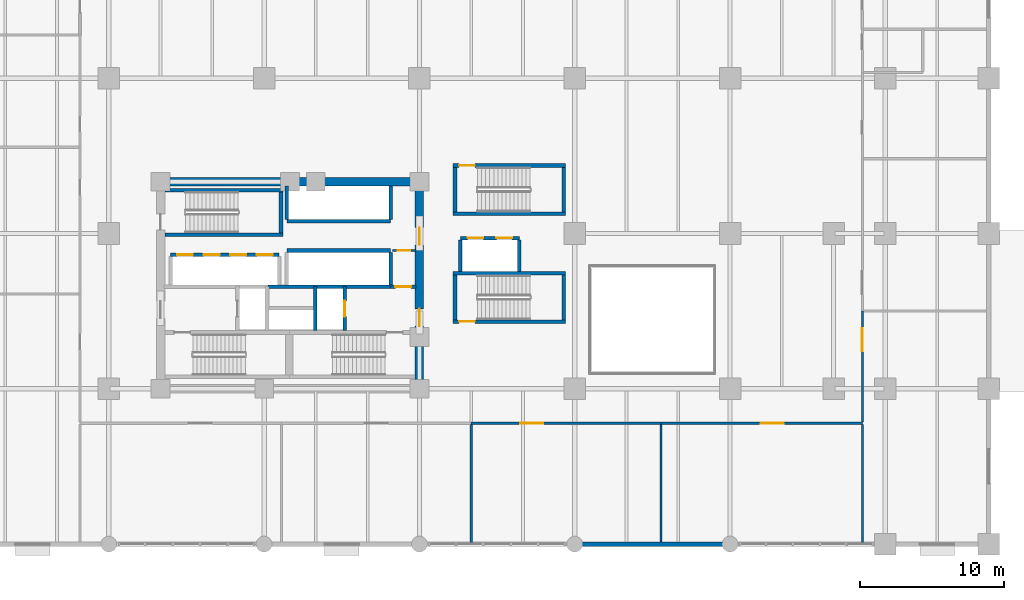
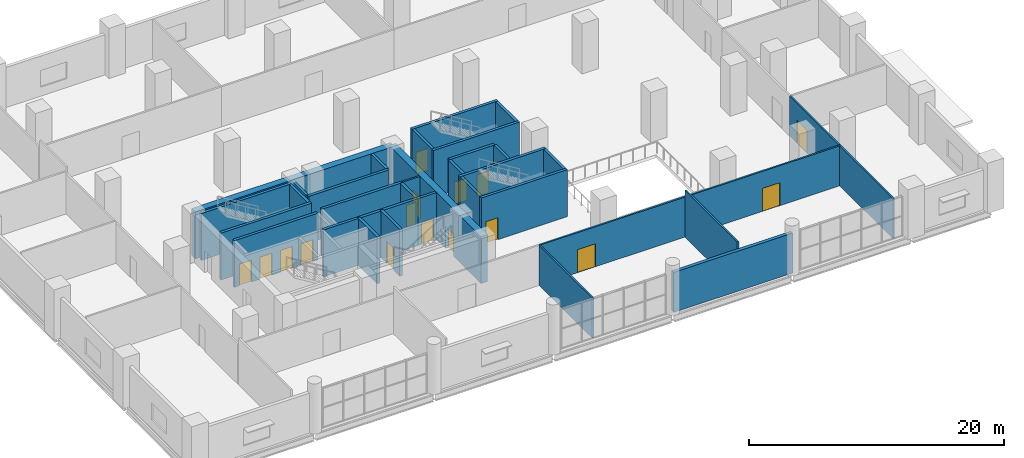
# One storey, part 11 of 16: 34 walls, 16 doors, 16 openings.
"""IFC4 building model written with IfcOpenShell, lengths in metres."""

from ifc_helpers import new_model, si_unit, direction, frame, frame_2d, origin, place, context, subcontext, project, spatial, rectangle, extrude, material, layer, layer_set, type_object, element, fill, save


model = new_model("IFC4")

# Units and contexts
model_context = context("Model", 3, precision=1e-05, world=origin(), true_north=direction((0.0, 1.0)))
body_context = subcontext(model_context, "Body", "Model", "MODEL_VIEW")
ifc_project = project(units=[si_unit("LENGTHUNIT", "METRE"), si_unit("AREAUNIT", "SQUARE_METRE"), si_unit("VOLUMEUNIT", "CUBIC_METRE"), si_unit("PLANEANGLEUNIT", "RADIAN"), si_unit("MASSUNIT", "GRAM", prefix="KILO")], contexts=[model_context])

# Site, building, storey
site_placement = place(None, origin())
site = spatial("IfcSite", under=ifc_project, at=site_placement, CompositionType="ELEMENT")
building_placement = place(site_placement, origin())
building = spatial("IfcBuilding", under=site, at=building_placement, Name="Solnavia Interchange Tower", CompositionType="ELEMENT")
storey_placement = place(building_placement, frame((0.0, 0.0, 5.39990234375)))
storey = spatial("IfcBuildingStorey", under=building, at=storey_placement, Name="L01", CompositionType="ELEMENT", Elevation=5.39990234375)

# Wall
ifc_material_1 = material(Name="Concrete C40/50", Category="concrete")
ifc_layer_1 = layer(ifc_material_1, 0.300048828125)
ifc_layer_set_1 = layer_set([ifc_layer_1], Name="Concrete C40/50")
wall_type_1 = type_object("IfcWallType", Name="Wall-ExtSpandrel-300", PredefinedType="STANDARD", material=ifc_layer_set_1)
wall_1_placement = place(storey_placement, frame((54.0, 0.0, 0.0), z_axis=(0.0, 0.0, 1.0), x_axis=(-1.0, 0.0, 0.0)))
element("IfcWall", 1, at=wall_1_placement, inside=storey, type_object=wall_type_1, Name="EXW-L01-S05 South podium wall", PredefinedType="STANDARD", context=body_context, shape_type="SweptSolid", body=[
    extrude(rectangle(XDim=10.800048828125, YDim=0.300048828125, at=frame_2d((5.39990234375, 0.0))), origin(), (0.0, 0.0, 1.0), 3.830078125),
])

# Wall, opening, door
ifc_material_2 = material(Name="Gypsum Plasterboard & Steel Stud", Category="steel")
ifc_layer_2 = layer(ifc_material_2, 0.14990234375)
ifc_layer_set_2 = layer_set([ifc_layer_2], Name="Gypsum Plasterboard & Steel Stud")
wall_type_2 = type_object("IfcWallType", Name="Wall-Partition-150", PredefinedType="PARTITIONING", material=ifc_layer_set_2)
wall_2_placement = place(storey_placement, frame((30.52001953125, 20.419921875, 0.0), z_axis=(0.0, 0.0, 1.0), x_axis=(1.0, 0.0, 0.0)))
wall_2 = element("IfcWall", 2, at=wall_2_placement, inside=storey, type_object=wall_type_2, Name="CSW-L01-SE-N Core shaft wall", PredefinedType="PARTITIONING", context=body_context, shape_type="SweptSolid", body=[
    extrude(rectangle(XDim=1.6298828125, YDim=0.14990234375, at=frame_2d((0.81494140625, 0.0))), origin(), (0.0, 0.0, 1.0), 4.485107421875),
])
opening_1_placement = place(wall_2_placement, frame((0.3798828125, 0.0, 0.0)))
opening_1 = element("IfcOpeningElement", 3, at=opening_1_placement, cuts=wall_2, Name="Opening DR-10", PredefinedType="OPENING", context=body_context, shape_type="SweptSolid", body=[
    extrude(rectangle(XDim=0.85009765625, YDim=2.10009765625, at=frame_2d((0.425048828125, 1.050048828125))), frame((0.0, 0.0849609375, 0.0), z_axis=(0.0, -1.0, 0.0), x_axis=(1.0, 0.0, 0.0)), (0.0, 0.0, 1.0), 0.169921875),
])
ifc_material_3 = material(Name="Moisture-Resistant Timber Door", Category="wood")
door_type_1 = type_object("IfcDoorType", Name="Door-Bathroom-850x2100", OperationType="SINGLE_SWING_RIGHT", PredefinedType="DOOR", material=ifc_material_3)
door_1_placement = place(opening_1_placement, origin())
door_1 = element("IfcDoor", 4, at=door_1_placement, inside=storey, type_object=door_type_1, Name="DR-L01-CSE1 Core fire door", OperationType="SINGLE_SWING_LEFT", OverallHeight=2.10009765625, OverallWidth=0.85009765625, PredefinedType="DOOR", context=body_context, shape_type="SweptSolid", body=[
    extrude(rectangle(XDim=0.85009765625, YDim=2.10009765625, at=frame_2d((0.425048828125, 1.050048828125))), frame((0.0, 0.02490234375, 0.0), z_axis=(0.0, -1.0, 0.0), x_axis=(1.0, 0.0, 0.0)), (0.0, 0.0, 1.0), 0.050048828125),
])
fill(opening_1, door_1)

# Wall
wall_3_placement = place(storey_placement, frame((36.0, 0.0, 0.0), z_axis=(0.0, 0.0, 1.0), x_axis=(0.0, 1.0, 0.0)))
element("IfcWall", 5, at=wall_3_placement, inside=storey, type_object=wall_type_2, Name="PTW-L01-04 Interior partition wall", PredefinedType="PARTITIONING", context=body_context, shape_type="SweptSolid", body=[
    extrude(rectangle(XDim=8.321044921875, YDim=0.14990234375, at=frame_2d((4.16064453125, 0.0))), origin(), (0.0, 0.0, 1.0), 3.830078125),
])

# Wall, opening, door
wall_4_placement = place(storey_placement, frame((36.0, 8.39990234375, 0.0), z_axis=(0.0, 0.0, 1.0), x_axis=(1.0, 0.0, 0.0)))
wall_4 = element("IfcWall", 6, at=wall_4_placement, inside=storey, type_object=wall_type_2, Name="PTW-L01-05 Interior partition wall", PredefinedType="PARTITIONING", context=body_context, shape_type="SweptSolid", body=[
    extrude(rectangle(XDim=13.199951171875, YDim=0.14990234375, at=frame_2d((6.60009765625, 0.0))), origin(), (0.0, 0.0, 1.0), 3.830078125),
])
opening_2_placement = place(wall_4_placement, frame((3.408935546875, 0.0, 0.0)))
opening_2 = element("IfcOpeningElement", 7, at=opening_2_placement, cuts=wall_4, Name="Opening DR-08", PredefinedType="OPENING", context=body_context, shape_type="SweptSolid", body=[
    extrude(rectangle(XDim=1.60009765625, YDim=2.199951171875, at=frame_2d((0.800048828125, 1.10009765625))), frame((0.0, 0.0849609375, 0.0), z_axis=(0.0, -1.0, 0.0), x_axis=(1.0, 0.0, 0.0)), (0.0, 0.0, 1.0), 0.169921875),
])
ifc_material_4 = material(Name="Thermally Broken Aluminium & Toughened Glass", Category="aluminium")
door_type_2 = type_object("IfcDoorType", Name="Door-RetailDouble-1600x2200", OperationType="DOUBLE_DOOR_SINGLE_SWING", PredefinedType="DOOR", material=ifc_material_4)
door_2_placement = place(opening_2_placement, origin())
door_2 = element("IfcDoor", 8, at=door_2_placement, inside=storey, type_object=door_type_2, Name="DR-L01-03 Interior room door", OperationType="DOUBLE_DOOR_SINGLE_SWING", OverallHeight=2.199951171875, OverallWidth=1.60009765625, PredefinedType="DOOR", context=body_context, shape_type="SweptSolid", body=[
    extrude(rectangle(XDim=1.60009765625, YDim=2.199951171875, at=frame_2d((0.800048828125, 1.10009765625))), frame((0.0, 0.02490234375, 0.0), z_axis=(0.0, -1.0, 0.0), x_axis=(1.0, 0.0, 0.0)), (0.0, 0.0, 1.0), 0.050048828125),
])
fill(opening_2, door_2)

# Wall
wall_5_placement = place(storey_placement, frame((49.199951171875, 0.154052734375, 0.0), z_axis=(0.0, 0.0, 1.0), x_axis=(0.0, 1.0, 0.0)))
element("IfcWall", 9, at=wall_5_placement, inside=storey, type_object=wall_type_2, Name="PTW-L01-06 Interior partition wall", PredefinedType="PARTITIONING", context=body_context, shape_type="SweptSolid", body=[
    extrude(rectangle(XDim=8.1669921875, YDim=0.14990234375, at=frame_2d((4.08349609375, 0.0))), origin(), (0.0, 0.0, 1.0), 4.485107421875),
])

# Wall, opening, door
wall_6_placement = place(storey_placement, frame((49.199951171875, 8.39990234375, 0.0), z_axis=(0.0, 0.0, 1.0), x_axis=(1.0, 0.0, 0.0)))
wall_6 = element("IfcWall", 10, at=wall_6_placement, inside=storey, type_object=wall_type_2, Name="PTW-L01-07 Interior partition wall", PredefinedType="PARTITIONING", context=body_context, shape_type="SweptSolid", body=[
    extrude(rectangle(XDim=14.0, YDim=0.14990234375, at=frame_2d((7.0, 0.0))), origin(), (0.0, 0.0, 1.0), 3.830078125),
])
opening_3_placement = place(wall_6_placement, frame((6.91796875, 0.0, 0.0)))
opening_3 = element("IfcOpeningElement", 11, at=opening_3_placement, cuts=wall_6, Name="Opening DR-08", PredefinedType="OPENING", context=body_context, shape_type="SweptSolid", body=[
    extrude(rectangle(XDim=1.60009765625, YDim=2.199951171875, at=frame_2d((0.800048828125, 1.10009765625))), frame((0.0, 0.0849609375, 0.0), z_axis=(0.0, -1.0, 0.0), x_axis=(1.0, 0.0, 0.0)), (0.0, 0.0, 1.0), 0.169921875),
])
door_3_placement = place(opening_3_placement, origin())
door_3 = element("IfcDoor", 12, at=door_3_placement, inside=storey, type_object=door_type_2, Name="DR-L01-04 Interior room door", OperationType="DOUBLE_DOOR_SINGLE_SWING", OverallHeight=2.199951171875, OverallWidth=1.60009765625, PredefinedType="DOOR", context=body_context, shape_type="SweptSolid", body=[
    extrude(rectangle(XDim=1.60009765625, YDim=2.199951171875, at=frame_2d((0.800048828125, 1.10009765625))), frame((0.0, 0.02490234375, 0.0), z_axis=(0.0, -1.0, 0.0), x_axis=(1.0, 0.0, 0.0)), (0.0, 0.0, 1.0), 0.050048828125),
])
fill(opening_3, door_3)

# Wall
wall_7_placement = place(storey_placement, frame((63.199951171875, 0.0, 0.0), z_axis=(0.0, 0.0, 1.0), x_axis=(0.0, 1.0, 0.0)))
element("IfcWall", 13, at=wall_7_placement, inside=storey, type_object=wall_type_2, Name="PTW-L01-22 Interior partition wall", PredefinedType="PARTITIONING", context=body_context, shape_type="SweptSolid", body=[
    extrude(rectangle(XDim=8.321044921875, YDim=0.14990234375, at=frame_2d((4.16064453125, 0.0))), origin(), (0.0, 0.0, 1.0), 3.830078125),
])

# Wall, opening, door
wall_8_placement = place(storey_placement, frame((63.199951171875, 8.47900390625, 0.0), z_axis=(0.0, 0.0, 1.0), x_axis=(0.0, 1.0, 0.0)))
wall_8 = element("IfcWall", 14, at=wall_8_placement, inside=storey, type_object=wall_type_2, Name="PTW-L01-23 Interior partition wall", PredefinedType="PARTITIONING", context=body_context, shape_type="SweptSolid", body=[
    extrude(rectangle(XDim=7.720947265625, YDim=0.14990234375, at=frame_2d((3.8603515625, 0.0))), origin(), (0.0, 0.0, 1.0), 3.830078125),
])
opening_4_placement = place(wall_8_placement, frame((4.94091796875, 0.0, 0.0)))
opening_4 = element("IfcOpeningElement", 15, at=opening_4_placement, cuts=wall_8, Name="Opening DR-08", PredefinedType="OPENING", context=body_context, shape_type="SweptSolid", body=[
    extrude(rectangle(XDim=1.60009765625, YDim=2.199951171875, at=frame_2d((0.800048828125, 1.10009765625))), frame((0.0, 0.0849609375, 0.0), z_axis=(0.0, -1.0, 0.0), x_axis=(1.0, 0.0, 0.0)), (0.0, 0.0, 1.0), 0.169921875),
])
door_4_placement = place(opening_4_placement, origin())
door_4 = element("IfcDoor", 16, at=door_4_placement, inside=storey, type_object=door_type_2, Name="DR-L01-12 Interior room door", OperationType="DOUBLE_DOOR_SINGLE_SWING", OverallHeight=2.199951171875, OverallWidth=1.60009765625, PredefinedType="DOOR", context=body_context, shape_type="SweptSolid", body=[
    extrude(rectangle(XDim=1.60009765625, YDim=2.199951171875, at=frame_2d((0.800048828125, 1.10009765625))), frame((0.0, 0.02490234375, 0.0), z_axis=(0.0, -1.0, 0.0), x_axis=(1.0, 0.0, 0.0)), (0.0, 0.0, 1.0), 0.050048828125),
])
fill(opening_4, door_4)

# Walls
ifc_layer_3 = layer(ifc_material_1, 0.25)
ifc_layer_set_3 = layer_set([ifc_layer_3], Name="Concrete C40/50")
wall_type_3 = type_object("IfcWallType", Name="Wall-ShaftCore-250", PredefinedType="SHEAR", material=ifc_layer_set_3)
for number, where, z_axis, x_axis, name in (
    (17, (14.699951171875, 21.52490234375, 0.0), (0.0, 0.0, 1.0), (1.0, 0.0, 0.0), "SHW-L01-ST3S Core shear wall"),
    (18, (14.699951171875, 24.614990234375, 0.0), (0.0, 0.0, 1.0), (1.0, 0.0, 0.0), "SHW-L01-ST3N Core shear wall"),
):
    element("IfcWall", number, at=place(storey_placement, frame(where, z_axis=z_axis, x_axis=x_axis)), inside=storey, type_object=wall_type_3, Name=name, PredefinedType="SHEAR", context=body_context, shape_type="SweptSolid", body=[
        extrude(rectangle(XDim=8.199951171875, YDim=0.25, at=frame_2d((4.10009765625, 0.0))), origin(), (0.0, 0.0, 1.0), 4.5),
    ])
wall_9_placement = place(storey_placement, frame((22.77490234375, 21.64990234375, 0.0), z_axis=(0.0, 0.0, 1.0), x_axis=(0.0, 1.0, 0.0)))
element("IfcWall", 19, at=wall_9_placement, inside=storey, type_object=wall_type_3, Name="SHW-L01-ST3E Core shear wall", PredefinedType="SHEAR", context=body_context, shape_type="SweptSolid", body=[
    extrude(rectangle(XDim=2.840087890625, YDim=0.25, at=frame_2d((1.419921875, 0.0))), origin(), (0.0, 0.0, 1.0), 4.5),
])

# Wall, opening, door
wall_10_placement = place(storey_placement, frame((34.75, 15.47509765625, 0.0), z_axis=(0.0, 0.0, 1.0), x_axis=(1.0, 0.0, 0.0)))
wall_10 = element("IfcWall", 20, at=wall_10_placement, inside=storey, type_object=wall_type_3, Name="SHW-L01-STP1S Core shear wall", PredefinedType="SHEAR", context=body_context, shape_type="SweptSolid", body=[
    extrude(rectangle(XDim=7.800048828125, YDim=0.25, at=frame_2d((3.89990234375, 0.0))), origin(), (0.0, 0.0, 1.0), 4.5),
])
opening_5_placement = place(wall_10_placement, frame((0.405029296875, 0.0, 0.0)))
opening_5 = element("IfcOpeningElement", 21, at=opening_5_placement, cuts=wall_10, Name="Opening DR-01", PredefinedType="OPENING", context=body_context, shape_type="SweptSolid", body=[
    extrude(rectangle(XDim=1.10009765625, YDim=2.10009765625, at=frame_2d((0.550048828125, 1.050048828125))), frame((0.0, 0.135009765625, 0.0), z_axis=(0.0, -1.0, 0.0), x_axis=(1.0, 0.0, 0.0)), (0.0, 0.0, 1.0), 0.27001953125),
])
ifc_material_5 = material(Name="Steel Fire-Rated Leaf & Frame", Category="steel")
door_type_3 = type_object("IfcDoorType", Name="Door-StairFire-1100x2100", OperationType="SINGLE_SWING_LEFT", PredefinedType="DOOR", material=ifc_material_5)
door_5_placement = place(opening_5_placement, origin())
door_5 = element("IfcDoor", 22, at=door_5_placement, inside=storey, type_object=door_type_3, Name="DR-L01-STP1 Core fire door", OperationType="SINGLE_SWING_LEFT", OverallHeight=2.10009765625, OverallWidth=1.10009765625, PredefinedType="DOOR", context=body_context, shape_type="SweptSolid", body=[
    extrude(rectangle(XDim=1.10009765625, YDim=2.10009765625, at=frame_2d((0.550048828125, 1.050048828125))), frame((0.0, 0.02490234375, 0.0), z_axis=(0.0, -1.0, 0.0), x_axis=(1.0, 0.0, 0.0)), (0.0, 0.0, 1.0), 0.050048828125),
])
fill(opening_5, door_5)

# Walls
wall_11_placement = place(storey_placement, frame((34.75, 18.824951171875, 0.0), z_axis=(0.0, 0.0, 1.0), x_axis=(1.0, 0.0, 0.0)))
element("IfcWall", 23, at=wall_11_placement, inside=storey, type_object=wall_type_3, Name="SHW-L01-STP1N Core shear wall", PredefinedType="SHEAR", context=body_context, shape_type="SweptSolid", body=[
    extrude(rectangle(XDim=7.800048828125, YDim=0.25, at=frame_2d((3.89990234375, 0.0))), origin(), (0.0, 0.0, 1.0), 4.5),
])
for number, where, z_axis, x_axis, name in (
    (24, (34.875, 15.60009765625, 0.0), (0.0, 0.0, 1.0), (0.0, 1.0, 0.0), "SHW-L01-STP1W Core shear wall"),
    (25, (42.425048828125, 15.60009765625, 0.0), (0.0, 0.0, 1.0), (0.0, 1.0, 0.0), "SHW-L01-STP1E Core shear wall"),
):
    element("IfcWall", number, at=place(storey_placement, frame(where, z_axis=z_axis, x_axis=x_axis)), inside=storey, type_object=wall_type_3, Name=name, PredefinedType="SHEAR", context=body_context, shape_type="SweptSolid", body=[
        extrude(rectangle(XDim=3.099853515625, YDim=0.25, at=frame_2d((1.5498046875, 0.0))), origin(), (0.0, 0.0, 1.0), 4.5),
    ])
wall_12_placement = place(storey_placement, frame((34.75, 22.97509765625, 0.0), z_axis=(0.0, 0.0, 1.0), x_axis=(1.0, 0.0, 0.0)))
element("IfcWall", 26, at=wall_12_placement, inside=storey, type_object=wall_type_3, Name="SHW-L01-STP2S Core shear wall", PredefinedType="SHEAR", context=body_context, shape_type="SweptSolid", body=[
    extrude(rectangle(XDim=7.800048828125, YDim=0.25, at=frame_2d((3.89990234375, 0.0))), origin(), (0.0, 0.0, 1.0), 4.5),
])

# Wall, opening, door
wall_13_placement = place(storey_placement, frame((34.75, 26.324951171875, 0.0), z_axis=(0.0, 0.0, 1.0), x_axis=(1.0, 0.0, 0.0)))
wall_13 = element("IfcWall", 27, at=wall_13_placement, inside=storey, type_object=wall_type_3, Name="SHW-L01-STP2N Core shear wall", PredefinedType="SHEAR", context=body_context, shape_type="SweptSolid", body=[
    extrude(rectangle(XDim=7.800048828125, YDim=0.25, at=frame_2d((3.89990234375, 0.0))), origin(), (0.0, 0.0, 1.0), 4.5),
])
opening_6_placement = place(wall_13_placement, frame((0.405029296875, 0.0, 0.0)))
opening_6 = element("IfcOpeningElement", 28, at=opening_6_placement, cuts=wall_13, Name="Opening DR-01", PredefinedType="OPENING", context=body_context, shape_type="SweptSolid", body=[
    extrude(rectangle(XDim=1.10009765625, YDim=2.10009765625, at=frame_2d((0.550048828125, 1.050048828125))), frame((0.0, 0.135009765625, 0.0), z_axis=(0.0, -1.0, 0.0), x_axis=(1.0, 0.0, 0.0)), (0.0, 0.0, 1.0), 0.27001953125),
])
door_6_placement = place(opening_6_placement, origin())
door_6 = element("IfcDoor", 29, at=door_6_placement, inside=storey, type_object=door_type_3, Name="DR-L01-STP2 Core fire door", OperationType="SINGLE_SWING_RIGHT", OverallHeight=2.10009765625, OverallWidth=1.10009765625, PredefinedType="DOOR", context=body_context, shape_type="SweptSolid", body=[
    extrude(rectangle(XDim=1.10009765625, YDim=2.10009765625, at=frame_2d((0.550048828125, 1.050048828125))), frame((0.0, 0.02490234375, 0.0), z_axis=(0.0, -1.0, 0.0), x_axis=(1.0, 0.0, 0.0)), (0.0, 0.0, 1.0), 0.050048828125),
])
fill(opening_6, door_6)

# Walls
for number, where, z_axis, x_axis, name in (
    (30, (34.875, 23.10009765625, 0.0), (0.0, 0.0, 1.0), (0.0, 1.0, 0.0), "SHW-L01-STP2W Core shear wall"),
    (31, (42.425048828125, 23.10009765625, 0.0), (0.0, 0.0, 1.0), (0.0, 1.0, 0.0), "SHW-L01-STP2E Core shear wall"),
):
    element("IfcWall", number, at=place(storey_placement, frame(where, z_axis=z_axis, x_axis=x_axis)), inside=storey, type_object=wall_type_3, Name=name, PredefinedType="SHEAR", context=body_context, shape_type="SweptSolid", body=[
        extrude(rectangle(XDim=3.099853515625, YDim=0.25, at=frame_2d((1.5498046875, 0.0))), origin(), (0.0, 0.0, 1.0), 4.5),
    ])
ifc_layer_4 = layer(ifc_material_1, 0.25)
ifc_layer_set_4 = layer_set([ifc_layer_4], Name="Concrete C40/50")
wall_type_4 = type_object("IfcWallType", Name="Wall-ShaftPart-250", PredefinedType="PARTITIONING", material=ifc_layer_set_4)
wall_14_placement = place(storey_placement, frame((21.8798828125, 17.89990234375, 0.0), z_axis=(0.0, 0.0, 1.0), x_axis=(1.0, 0.0, 0.0)))
element("IfcWall", 32, at=wall_14_placement, inside=storey, type_object=wall_type_4, Name="SHW-L01-FFLE-N1 Core shaft wall", PredefinedType="PARTITIONING", context=body_context, shape_type="SweptSolid", body=[
    extrude(rectangle(XDim=8.52001953125, YDim=0.25, at=frame_2d((4.260009765625, 0.0))), origin(), (0.0, 0.0, 1.0), 4.485107421875),
])

# Wall, opening, door
wall_15_placement = place(storey_placement, frame((30.39990234375, 17.89990234375, 0.0), z_axis=(0.0, 0.0, 1.0), x_axis=(1.0, 0.0, 0.0)))
wall_15 = element("IfcWall", 33, at=wall_15_placement, inside=storey, type_object=wall_type_4, Name="SHW-L01-FFLE-N2 Core shaft wall", PredefinedType="PARTITIONING", context=body_context, shape_type="SweptSolid", body=[
    extrude(rectangle(XDim=1.75, YDim=0.25, at=frame_2d((0.875, 0.0))), origin(), (0.0, 0.0, 1.0), 4.485107421875),
])
opening_7_placement = place(wall_15_placement, frame((0.320068359375, 0.0, 0.0)))
opening_7 = element("IfcOpeningElement", 34, at=opening_7_placement, cuts=wall_15, Name="Opening DR-01", PredefinedType="OPENING", context=body_context, shape_type="SweptSolid", body=[
    extrude(rectangle(XDim=1.10009765625, YDim=2.10009765625, at=frame_2d((0.550048828125, 1.050048828125))), frame((0.0, 0.135009765625, 0.0), z_axis=(0.0, -1.0, 0.0), x_axis=(1.0, 0.0, 0.0)), (0.0, 0.0, 1.0), 0.27001953125),
])
door_7_placement = place(opening_7_placement, origin())
door_7 = element("IfcDoor", 35, at=door_7_placement, inside=storey, type_object=door_type_3, Name="DR-L01-LLC Core fire door", OperationType="SINGLE_SWING_LEFT", OverallHeight=2.10009765625, OverallWidth=1.10009765625, PredefinedType="DOOR", context=body_context, shape_type="SweptSolid", body=[
    extrude(rectangle(XDim=1.10009765625, YDim=2.10009765625, at=frame_2d((0.550048828125, 1.050048828125))), frame((0.0, 0.02490234375, 0.0), z_axis=(0.0, -1.0, 0.0), x_axis=(1.0, 0.0, 0.0)), (0.0, 0.0, 1.0), 0.050048828125),
])
fill(opening_7, door_7)

# Wall
wall_16_placement = place(storey_placement, frame((25.14990234375, 14.840087890625, 0.0), z_axis=(0.0, 0.0, 1.0), x_axis=(0.0, 1.0, 0.0)))
element("IfcWall", 36, at=wall_16_placement, inside=storey, type_object=wall_type_4, Name="SHW-L01-FFL2-W Core shaft wall", PredefinedType="PARTITIONING", context=body_context, shape_type="SweptSolid", body=[
    extrude(rectangle(XDim=3.059814453125, YDim=0.25, at=frame_2d((1.52978515625, 0.0))), origin(), (0.0, 0.0, 1.0), 4.485107421875),
])

# Wall, opening, door
wall_17_placement = place(storey_placement, frame((27.199951171875, 14.840087890625, 0.0), z_axis=(0.0, 0.0, 1.0), x_axis=(0.0, 1.0, 0.0)))
wall_17 = element("IfcWall", 37, at=wall_17_placement, inside=storey, type_object=wall_type_4, Name="SHW-L01-FFL2-E Core shaft wall", PredefinedType="PARTITIONING", context=body_context, shape_type="SweptSolid", body=[
    extrude(rectangle(XDim=3.059814453125, YDim=0.25, at=frame_2d((1.52978515625, 0.0))), origin(), (0.0, 0.0, 1.0), 4.485107421875),
])
opening_8_placement = place(wall_17_placement, frame((0.97998046875, 0.0, 0.0)))
opening_8 = element("IfcOpeningElement", 38, at=opening_8_placement, cuts=wall_17, Name="Opening LD-01", PredefinedType="OPENING", context=body_context, shape_type="SweptSolid", body=[
    extrude(rectangle(XDim=1.10009765625, YDim=2.10009765625, at=frame_2d((0.550048828125, 1.050048828125))), frame((0.0, 0.135009765625, 0.0), z_axis=(0.0, -1.0, 0.0), x_axis=(1.0, 0.0, 0.0)), (0.0, 0.0, 1.0), 0.27001953125),
])
ifc_material_6 = material(Name="Brushed Stainless Steel Sliding Door", Category="steel")
door_type_4 = type_object("IfcDoorType", Name="Door-LiftLanding-1100x2100", OperationType="SLIDING_TO_LEFT", PredefinedType="DOOR", material=ifc_material_6)
door_8_placement = place(opening_8_placement, origin())
door_8 = element("IfcDoor", 39, at=door_8_placement, inside=storey, type_object=door_type_4, Name="LD-L01-FFL2 Lift landing sliding door", OperationType="SLIDING_TO_LEFT", OverallHeight=2.10009765625, OverallWidth=1.10009765625, PredefinedType="DOOR", context=body_context, shape_type="SweptSolid", body=[
    extrude(rectangle(XDim=1.10009765625, YDim=2.10009765625, at=frame_2d((0.550048828125, 1.050048828125))), frame((0.0, 0.02490234375, 0.0), z_axis=(0.0, -1.0, 0.0), x_axis=(1.0, 0.0, 0.0)), (0.0, 0.0, 1.0), 0.050048828125),
])
fill(opening_8, door_8)

# Wall, openings, doors
wall_18_placement = place(storey_placement, frame((15.10009765625, 20.125, 0.0), z_axis=(0.0, 0.0, 1.0), x_axis=(1.0, 0.0, 0.0)))
wall_18 = element("IfcWall", 40, at=wall_18_placement, inside=storey, type_object=wall_type_4, Name="SHW-L01-B1N Core shaft wall", PredefinedType="PARTITIONING", context=body_context, shape_type="SweptSolid", body=[
    extrude(rectangle(XDim=7.5498046875, YDim=0.25, at=frame_2d((3.77490234375, 0.0))), origin(), (0.0, 0.0, 1.0), 4.485107421875),
])
opening_9_placement = place(wall_18_placement, frame((0.449951171875, 0.0, 0.0)))
opening_9 = element("IfcOpeningElement", 41, at=opening_9_placement, cuts=wall_18, Name="Opening LD-01", PredefinedType="OPENING", context=body_context, shape_type="SweptSolid", body=[
    extrude(rectangle(XDim=1.10009765625, YDim=2.10009765625, at=frame_2d((0.550048828125, 1.050048828125))), frame((0.0, 0.135009765625, 0.0), z_axis=(0.0, -1.0, 0.0), x_axis=(1.0, 0.0, 0.0)), (0.0, 0.0, 1.0), 0.27001953125),
])
opening_10_placement = place(wall_18_placement, frame((2.300048828125, 0.0, 0.0)))
opening_10 = element("IfcOpeningElement", 42, at=opening_10_placement, cuts=wall_18, Name="Opening LD-01", PredefinedType="OPENING", context=body_context, shape_type="SweptSolid", body=[
    extrude(rectangle(XDim=1.10009765625, YDim=2.10009765625, at=frame_2d((0.550048828125, 1.050048828125))), frame((0.0, 0.135009765625, 0.0), z_axis=(0.0, -1.0, 0.0), x_axis=(1.0, 0.0, 0.0)), (0.0, 0.0, 1.0), 0.27001953125),
])
opening_11_placement = place(wall_18_placement, frame((4.14990234375, 0.0, 0.0)))
opening_11 = element("IfcOpeningElement", 43, at=opening_11_placement, cuts=wall_18, Name="Opening LD-01", PredefinedType="OPENING", context=body_context, shape_type="SweptSolid", body=[
    extrude(rectangle(XDim=1.10009765625, YDim=2.10009765625, at=frame_2d((0.550048828125, 1.050048828125))), frame((0.0, 0.135009765625, 0.0), z_axis=(0.0, -1.0, 0.0), x_axis=(1.0, 0.0, 0.0)), (0.0, 0.0, 1.0), 0.27001953125),
])
opening_12_placement = place(wall_18_placement, frame((6.0, 0.0, 0.0)))
opening_12 = element("IfcOpeningElement", 44, at=opening_12_placement, cuts=wall_18, Name="Opening LD-01", PredefinedType="OPENING", context=body_context, shape_type="SweptSolid", body=[
    extrude(rectangle(XDim=1.10009765625, YDim=2.10009765625, at=frame_2d((0.550048828125, 1.050048828125))), frame((0.0, 0.135009765625, 0.0), z_axis=(0.0, -1.0, 0.0), x_axis=(1.0, 0.0, 0.0)), (0.0, 0.0, 1.0), 0.27001953125),
])
door_9_placement = place(opening_9_placement, origin())
door_9 = element("IfcDoor", 45, at=door_9_placement, inside=storey, type_object=door_type_4, Name="LD-L01-B1-1 Lift landing sliding door", OperationType="SLIDING_TO_LEFT", OverallHeight=2.10009765625, OverallWidth=1.10009765625, PredefinedType="DOOR", context=body_context, shape_type="SweptSolid", body=[
    extrude(rectangle(XDim=1.10009765625, YDim=2.10009765625, at=frame_2d((0.550048828125, 1.050048828125))), frame((0.0, 0.02490234375, 0.0), z_axis=(0.0, -1.0, 0.0), x_axis=(1.0, 0.0, 0.0)), (0.0, 0.0, 1.0), 0.050048828125),
])
fill(opening_9, door_9)
door_10_placement = place(opening_10_placement, origin())
door_10 = element("IfcDoor", 46, at=door_10_placement, inside=storey, type_object=door_type_4, Name="LD-L01-B1-2 Lift landing sliding door", OperationType="SLIDING_TO_LEFT", OverallHeight=2.10009765625, OverallWidth=1.10009765625, PredefinedType="DOOR", context=body_context, shape_type="SweptSolid", body=[
    extrude(rectangle(XDim=1.10009765625, YDim=2.10009765625, at=frame_2d((0.550048828125, 1.050048828125))), frame((0.0, 0.02490234375, 0.0), z_axis=(0.0, -1.0, 0.0), x_axis=(1.0, 0.0, 0.0)), (0.0, 0.0, 1.0), 0.050048828125),
])
fill(opening_10, door_10)
door_11_placement = place(opening_11_placement, origin())
door_11 = element("IfcDoor", 47, at=door_11_placement, inside=storey, type_object=door_type_4, Name="LD-L01-B1-3 Lift landing sliding door", OperationType="SLIDING_TO_LEFT", OverallHeight=2.10009765625, OverallWidth=1.10009765625, PredefinedType="DOOR", context=body_context, shape_type="SweptSolid", body=[
    extrude(rectangle(XDim=1.10009765625, YDim=2.10009765625, at=frame_2d((0.550048828125, 1.050048828125))), frame((0.0, 0.02490234375, 0.0), z_axis=(0.0, -1.0, 0.0), x_axis=(1.0, 0.0, 0.0)), (0.0, 0.0, 1.0), 0.050048828125),
])
fill(opening_11, door_11)
door_12_placement = place(opening_12_placement, origin())
door_12 = element("IfcDoor", 48, at=door_12_placement, inside=storey, type_object=door_type_4, Name="LD-L01-B1-4 Lift landing sliding door", OperationType="SLIDING_TO_LEFT", OverallHeight=2.10009765625, OverallWidth=1.10009765625, PredefinedType="DOOR", context=body_context, shape_type="SweptSolid", body=[
    extrude(rectangle(XDim=1.10009765625, YDim=2.10009765625, at=frame_2d((0.550048828125, 1.050048828125))), frame((0.0, 0.02490234375, 0.0), z_axis=(0.0, -1.0, 0.0), x_axis=(1.0, 0.0, 0.0)), (0.0, 0.0, 1.0), 0.050048828125),
])
fill(opening_12, door_12)

# Walls
wall_19_placement = place(storey_placement, frame((23.179931640625, 20.419921875, 0.0), z_axis=(0.0, 0.0, 1.0), x_axis=(1.0, 0.0, 0.0)))
element("IfcWall", 49, at=wall_19_placement, inside=storey, type_object=wall_type_4, Name="SHW-L01-B2N Core shaft wall", PredefinedType="PARTITIONING", context=body_context, shape_type="SweptSolid", body=[
    extrude(rectangle(XDim=7.219970703125, YDim=0.25, at=frame_2d((3.60986328125, 0.0))), origin(), (0.0, 0.0, 1.0), 4.485107421875),
])
wall_20_placement = place(storey_placement, frame((30.39990234375, 18.02490234375, 0.0), z_axis=(0.0, 0.0, 1.0), x_axis=(0.0, 1.0, 0.0)))
element("IfcWall", 50, at=wall_20_placement, inside=storey, type_object=wall_type_4, Name="SHW-L01-B2E Core shaft wall", PredefinedType="PARTITIONING", context=body_context, shape_type="SweptSolid", body=[
    extrude(rectangle(XDim=2.27001953125, YDim=0.25, at=frame_2d((1.135009765625, 0.0))), origin(), (0.0, 0.0, 1.0), 4.485107421875),
])
wall_21_placement = place(storey_placement, frame((23.179931640625, 22.4599609375, 0.0), z_axis=(0.0, 0.0, 1.0), x_axis=(1.0, 0.0, 0.0)))
element("IfcWall", 51, at=wall_21_placement, inside=storey, type_object=wall_type_4, Name="SHW-L01-B3S Core shaft wall", PredefinedType="PARTITIONING", context=body_context, shape_type="SweptSolid", body=[
    extrude(rectangle(XDim=7.219970703125, YDim=0.25, at=frame_2d((3.60986328125, 0.0))), origin(), (0.0, 0.0, 1.0), 4.485107421875),
])
for number, where, z_axis, x_axis, name in (
    (52, (23.179931640625, 22.5849609375, 0.0), (0.0, 0.0, 1.0), (0.0, 1.0, 0.0), "SHW-L01-B3W Core shaft wall"),
    (53, (30.39990234375, 22.5849609375, 0.0), (0.0, 0.0, 1.0), (0.0, 1.0, 0.0), "SHW-L01-B3E Core shaft wall"),
):
    element("IfcWall", number, at=place(storey_placement, frame(where, z_axis=z_axis, x_axis=x_axis)), inside=storey, type_object=wall_type_4, Name=name, PredefinedType="PARTITIONING", context=body_context, shape_type="SweptSolid", body=[
        extrude(rectangle(XDim=2.31494140625, YDim=0.25, at=frame_2d((1.157470703125, 0.0))), origin(), (0.0, 0.0, 1.0), 4.485107421875),
    ])

# Wall, openings, doors
wall_22_placement = place(storey_placement, frame((35.25, 21.280029296875, 0.0), z_axis=(0.0, 0.0, 1.0), x_axis=(1.0, 0.0, 0.0)))
wall_22 = element("IfcWall", 54, at=wall_22_placement, inside=storey, type_object=wall_type_4, Name="SHW-L01-PLN Core shaft wall", PredefinedType="PARTITIONING", context=body_context, shape_type="SweptSolid", body=[
    extrude(rectangle(XDim=4.10009765625, YDim=0.25, at=frame_2d((2.050048828125, 0.0))), origin(), (0.0, 0.0, 1.0), 4.485107421875),
])
opening_13_placement = place(wall_22_placement, frame((0.5, 0.0, 0.0)))
opening_13 = element("IfcOpeningElement", 55, at=opening_13_placement, cuts=wall_22, Name="Opening LD-01", PredefinedType="OPENING", context=body_context, shape_type="SweptSolid", body=[
    extrude(rectangle(XDim=1.10009765625, YDim=2.10009765625, at=frame_2d((0.550048828125, 1.050048828125))), frame((0.0, 0.135009765625, 0.0), z_axis=(0.0, -1.0, 0.0), x_axis=(1.0, 0.0, 0.0)), (0.0, 0.0, 1.0), 0.27001953125),
])
opening_14_placement = place(wall_22_placement, frame((2.5, 0.0, 0.0)))
opening_14 = element("IfcOpeningElement", 56, at=opening_14_placement, cuts=wall_22, Name="Opening LD-01", PredefinedType="OPENING", context=body_context, shape_type="SweptSolid", body=[
    extrude(rectangle(XDim=1.10009765625, YDim=2.10009765625, at=frame_2d((0.550048828125, 1.050048828125))), frame((0.0, 0.135009765625, 0.0), z_axis=(0.0, -1.0, 0.0), x_axis=(1.0, 0.0, 0.0)), (0.0, 0.0, 1.0), 0.27001953125),
])
door_13_placement = place(opening_13_placement, origin())
door_13 = element("IfcDoor", 57, at=door_13_placement, inside=storey, type_object=door_type_4, Name="LD-L01-PL-1 Lift landing sliding door", OperationType="SLIDING_TO_LEFT", OverallHeight=2.10009765625, OverallWidth=1.10009765625, PredefinedType="DOOR", context=body_context, shape_type="SweptSolid", body=[
    extrude(rectangle(XDim=1.10009765625, YDim=2.10009765625, at=frame_2d((0.550048828125, 1.050048828125))), frame((0.0, 0.02490234375, 0.0), z_axis=(0.0, -1.0, 0.0), x_axis=(1.0, 0.0, 0.0)), (0.0, 0.0, 1.0), 0.050048828125),
])
fill(opening_13, door_13)
door_14_placement = place(opening_14_placement, origin())
door_14 = element("IfcDoor", 58, at=door_14_placement, inside=storey, type_object=door_type_4, Name="LD-L01-PL-2 Lift landing sliding door", OperationType="SLIDING_TO_LEFT", OverallHeight=2.10009765625, OverallWidth=1.10009765625, PredefinedType="DOOR", context=body_context, shape_type="SweptSolid", body=[
    extrude(rectangle(XDim=1.10009765625, YDim=2.10009765625, at=frame_2d((0.550048828125, 1.050048828125))), frame((0.0, 0.02490234375, 0.0), z_axis=(0.0, -1.0, 0.0), x_axis=(1.0, 0.0, 0.0)), (0.0, 0.0, 1.0), 0.050048828125),
])
fill(opening_14, door_14)

# Walls
for number, where, z_axis, x_axis, name in (
    (59, (35.25, 18.949951171875, 0.0), (0.0, 0.0, 1.0), (0.0, 1.0, 0.0), "SHW-L01-PLW Core shaft wall"),
    (60, (39.35009765625, 18.949951171875, 0.0), (0.0, 0.0, 1.0), (0.0, 1.0, 0.0), "SHW-L01-PLE Core shaft wall"),
):
    element("IfcWall", number, at=place(storey_placement, frame(where, z_axis=z_axis, x_axis=x_axis)), inside=storey, type_object=wall_type_4, Name=name, PredefinedType="PARTITIONING", context=body_context, shape_type="SweptSolid", body=[
        extrude(rectangle(XDim=2.205078125, YDim=0.25, at=frame_2d((1.1025390625, 0.0))), origin(), (0.0, 0.0, 1.0), 4.485107421875),
    ])
ifc_material_7 = material(Name="Concrete C60/75", Category="concrete")
ifc_layer_5 = layer(ifc_material_7, 0.60009765625)
ifc_layer_set_5 = layer_set([ifc_layer_5], Name="Concrete C60/75")
wall_type_5 = type_object("IfcWallType", Name="Wall-ShearCore-600", PredefinedType="SHEAR", material=ifc_layer_set_5)
wall_23_placement = place(storey_placement, frame((14.39990234375, 25.199951171875, 0.0), z_axis=(0.0, 0.0, 1.0), x_axis=(1.0, 0.0, 0.0)))
element("IfcWall", 61, at=wall_23_placement, inside=storey, type_object=wall_type_5, Name="CRW-L01-N Core shear wall", PredefinedType="SHEAR", context=body_context, shape_type="SweptSolid", body=[
    extrude(rectangle(XDim=18.0, YDim=0.60009765625, at=frame_2d((9.0, 0.0))), origin(), (0.0, 0.0, 1.0), 4.5),
])

# Wall, openings, doors
wall_24_placement = place(storey_placement, frame((32.39990234375, 10.800048828125, 0.0), z_axis=(0.0, 0.0, 1.0), x_axis=(0.0, 1.0, 0.0)))
wall_24 = element("IfcWall", 62, at=wall_24_placement, inside=storey, type_object=wall_type_5, Name="CRW-L01-E Core shear wall", PredefinedType="SHEAR", context=body_context, shape_type="SweptSolid", body=[
    extrude(rectangle(XDim=14.39990234375, YDim=0.60009765625, at=frame_2d((7.199951171875, 0.0))), origin(), (0.0, 0.0, 1.0), 4.5),
])
opening_15_placement = place(wall_24_placement, frame((4.35009765625, 0.0, 0.0)))
opening_15 = element("IfcOpeningElement", 63, at=opening_15_placement, cuts=wall_24, Name="Opening DR-02", PredefinedType="OPENING", context=body_context, shape_type="SweptSolid", body=[
    extrude(rectangle(XDim=1.199951171875, YDim=2.10009765625, at=frame_2d((0.60009765625, 1.050048828125))), frame((0.0, 0.31005859375, 0.0), z_axis=(0.0, -1.0, 0.0), x_axis=(1.0, 0.0, 0.0)), (0.0, 0.0, 1.0), 0.6201171875),
])
opening_16_placement = place(wall_24_placement, frame((10.0, 0.0, 0.0)))
opening_16 = element("IfcOpeningElement", 64, at=opening_16_placement, cuts=wall_24, Name="Opening DR-02", PredefinedType="OPENING", context=body_context, shape_type="SweptSolid", body=[
    extrude(rectangle(XDim=1.199951171875, YDim=2.10009765625, at=frame_2d((0.60009765625, 1.050048828125))), frame((0.0, 0.31005859375, 0.0), z_axis=(0.0, -1.0, 0.0), x_axis=(1.0, 0.0, 0.0)), (0.0, 0.0, 1.0), 0.6201171875),
])
ifc_material_8 = material(Name="Steel Fire-Rated Vision-Panel Door", Category="steel")
door_type_5 = type_object("IfcDoorType", Name="Door-LobbyFire-1200x2100", OperationType="SINGLE_SWING_RIGHT", PredefinedType="DOOR", material=ifc_material_8)
door_15_placement = place(opening_15_placement, origin())
door_15 = element("IfcDoor", 65, at=door_15_placement, inside=storey, type_object=door_type_5, Name="DR-L01-FFL2E Core fire door", OperationType="SINGLE_SWING_LEFT", OverallHeight=2.10009765625, OverallWidth=1.199951171875, PredefinedType="DOOR", context=body_context, shape_type="SweptSolid", body=[
    extrude(rectangle(XDim=1.199951171875, YDim=2.10009765625, at=frame_2d((0.60009765625, 1.050048828125))), frame((0.0, 0.02490234375, 0.0), z_axis=(0.0, -1.0, 0.0), x_axis=(1.0, 0.0, 0.0)), (0.0, 0.0, 1.0), 0.050048828125),
])
fill(opening_15, door_15)
door_16_placement = place(opening_16_placement, origin())
door_16 = element("IfcDoor", 66, at=door_16_placement, inside=storey, type_object=door_type_5, Name="DR-L01-LLE Core fire door", OperationType="SINGLE_SWING_RIGHT", OverallHeight=2.10009765625, OverallWidth=1.199951171875, PredefinedType="DOOR", context=body_context, shape_type="SweptSolid", body=[
    extrude(rectangle(XDim=1.199951171875, YDim=2.10009765625, at=frame_2d((0.60009765625, 1.050048828125))), frame((0.0, 0.02490234375, 0.0), z_axis=(0.0, -1.0, 0.0), x_axis=(1.0, 0.0, 0.0)), (0.0, 0.0, 1.0), 0.050048828125),
])
fill(opening_16, door_16)

save(model, "model.ifc")
